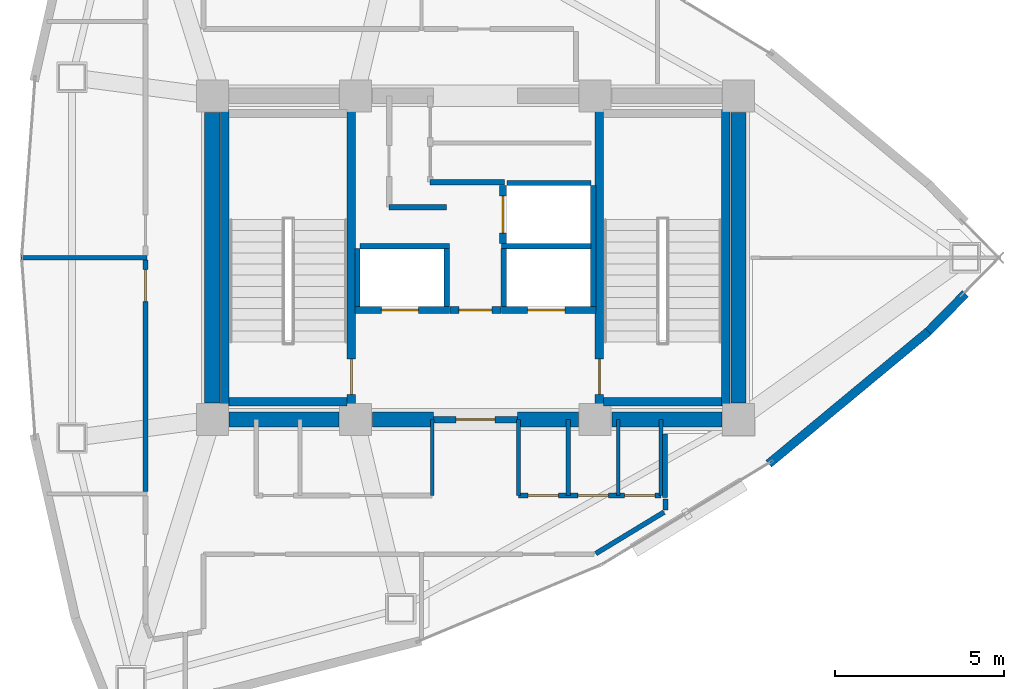
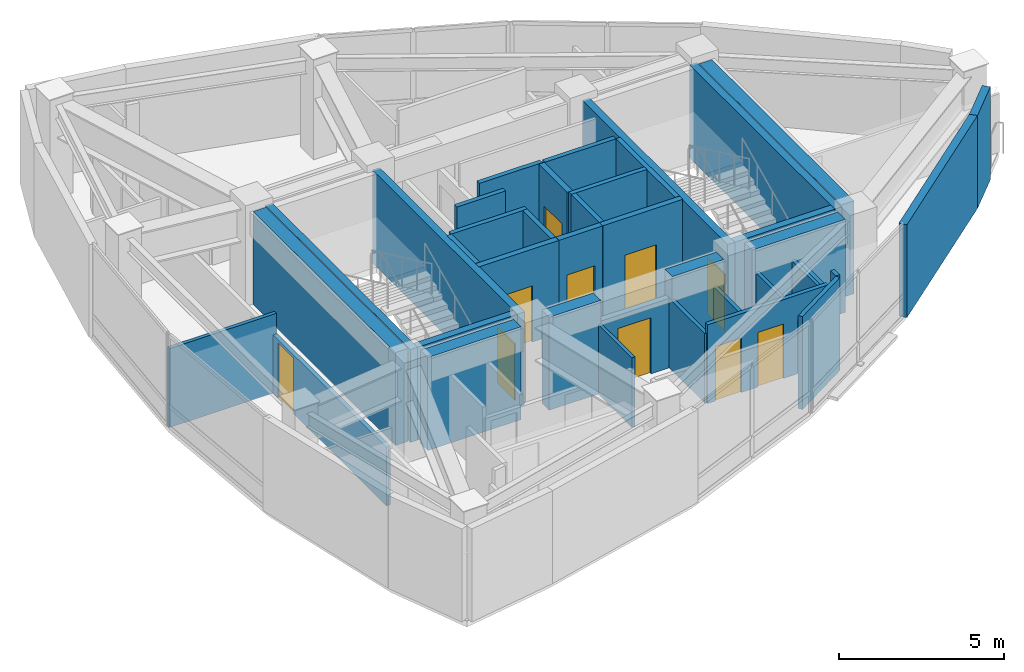
# One storey, part 12 of 15: 39 walls, 11 doors, 11 openings.
"""IFC4 building model written with IfcOpenShell, lengths in metres."""

from ifc_helpers import new_model, si_unit, direction, frame, frame_2d, origin, place, context, subcontext, project, spatial, rectangle, extrude, material, layer, layer_set, type_object, element, fill, save


model = new_model("IFC4")

# Units and contexts
model_context = context("Model", 3, precision=1e-05, world=origin(), true_north=direction((0.0, 1.0)))
body_context = subcontext(model_context, "Body", "Model", "MODEL_VIEW")
ifc_project = project(units=[si_unit("LENGTHUNIT", "METRE"), si_unit("AREAUNIT", "SQUARE_METRE"), si_unit("VOLUMEUNIT", "CUBIC_METRE"), si_unit("PLANEANGLEUNIT", "RADIAN"), si_unit("MASSUNIT", "GRAM", prefix="KILO")], contexts=[model_context])

# Site, building, storey
site_placement = place(None, origin())
site = spatial("IfcSite", under=ifc_project, at=site_placement, CompositionType="ELEMENT")
building_placement = place(site_placement, origin())
building = spatial("IfcBuilding", under=site, at=building_placement, Name="Menara Vayukalpa", CompositionType="ELEMENT")
storey_placement = place(building_placement, frame((0.0, 0.0, 295.5)))
storey = spatial("IfcBuildingStorey", under=building, at=storey_placement, Name="L75", CompositionType="ELEMENT", Elevation=295.5)

# Walls
ifc_material_1 = material(Name="Concrete C50/60", Category="concrete")
ifc_layer_1 = layer(ifc_material_1, 0.449951171875)
ifc_layer_set_1 = layer_set([ifc_layer_1], Name="Concrete C50/60")
wall_type_1 = type_object("IfcWallType", Name="WAL-CW450", PredefinedType="SHEAR", material=ifc_layer_set_1)
wall_1_placement = place(storey_placement, frame((18.294921875, 17.199951171875, 0.0), z_axis=(0.0, 0.0, 1.0), x_axis=(1.0, 0.0, 0.0)))
element("IfcWall", 1, at=wall_1_placement, inside=storey, type_object=wall_type_1, Name="L75 Buttressed Core Shear Wall CWS1", PredefinedType="SHEAR", context=body_context, shape_type="SweptSolid", body=[
    extrude(rectangle(XDim=3.260009765625, YDim=0.449951171875, at=frame_2d((1.6298828125, 0.0))), origin(), (0.0, 0.0, 1.0), 3.43994140625),
])
wall_2_placement = place(storey_placement, frame((22.544921875, 17.199951171875, 0.0), z_axis=(0.0, 0.0, 1.0), x_axis=(1.0, 0.0, 0.0)))
element("IfcWall", 2, at=wall_2_placement, inside=storey, type_object=wall_type_1, Name="L75 Buttressed Core Shear Wall CWS2", PredefinedType="SHEAR", context=body_context, shape_type="SweptSolid", body=[
    extrude(rectangle(XDim=1.80517578125, YDim=0.449951171875, at=frame_2d((0.902587890625, 0.0))), origin(), (0.0, 0.0, 1.0), 3.43994140625),
])
wall_3_placement = place(storey_placement, frame((26.85009765625, 17.199951171875, 0.0), z_axis=(0.0, 0.0, 1.0), x_axis=(1.0, 0.0, 0.0)))
element("IfcWall", 3, at=wall_3_placement, inside=storey, type_object=wall_type_1, Name="L75 Buttressed Core Shear Wall CWS3", PredefinedType="SHEAR", context=body_context, shape_type="SweptSolid", body=[
    extrude(rectangle(XDim=1.804931640625, YDim=0.449951171875, at=frame_2d((0.90234375, 0.0))), origin(), (0.0, 0.0, 1.0), 3.43994140625),
])
wall_4_placement = place(storey_placement, frame((29.64501953125, 17.199951171875, 0.0), z_axis=(0.0, 0.0, 1.0), x_axis=(1.0, 0.0, 0.0)))
element("IfcWall", 4, at=wall_4_placement, inside=storey, type_object=wall_type_1, Name="L75 Buttressed Core Shear Wall CWS4", PredefinedType="SHEAR", context=body_context, shape_type="SweptSolid", body=[
    extrude(rectangle(XDim=3.260009765625, YDim=0.449951171875, at=frame_2d((1.6298828125, 0.0))), origin(), (0.0, 0.0, 1.0), 3.43994140625),
])
for number, where, z_axis, x_axis, name in (
    (5, (17.800048828125, 17.695068359375, 0.0), (0.0, 0.0, 1.0), (0.0, 1.0, 0.0), "L75 Buttressed Core Shear Wall CWW1"),
    (6, (33.39990234375, 17.695068359375, 0.0), (0.0, 0.0, 1.0), (0.0, 1.0, 0.0), "L75 Buttressed Core Shear Wall CWE1"),
):
    element("IfcWall", number, at=place(storey_placement, frame(where, z_axis=z_axis, x_axis=x_axis)), inside=storey, type_object=wall_type_1, Name=name, PredefinedType="SHEAR", context=body_context, shape_type="SweptSolid", body=[
        extrude(rectangle(XDim=8.60986328125, YDim=0.449951171875, at=frame_2d((4.304931640625, 0.0))), origin(), (0.0, 0.0, 1.0), 3.43994140625),
    ])
ifc_material_2 = material(Name="Insulated Precast Concrete C40/50", Category="concrete")
ifc_layer_2 = layer(ifc_material_2, 0.260009765625)
ifc_layer_set_2 = layer_set([ifc_layer_2], Name="Insulated Precast Concrete C40/50")
wall_type_2 = type_object("IfcWallType", Name="WAL-EXT260", PredefinedType="PARTITIONING", material=ifc_layer_set_2)
wall_5_placement = place(storey_placement, frame((40.1240234375, 20.932861328125, 0.0), z_axis=(0.0, 0.0, 1.0), x_axis=(-0.700470648387, -0.71368121087, 0.0)))
element("IfcWall", 7, at=wall_5_placement, inside=storey, type_object=wall_type_2, Name="L75 Perimeter Terracotta Pier Wall 01", PredefinedType="PARTITIONING", context=body_context, shape_type="SweptSolid", body=[
    extrude(rectangle(XDim=1.57080078125, YDim=0.260009765625, at=frame_2d((0.785400390625, 0.0))), origin(), (0.0, 0.0, 1.0), 3.43994140625),
])
wall_6_placement = place(storey_placement, frame((39.032470703125, 19.81982421875, 0.0), z_axis=(0.0, 0.0, 1.0), x_axis=(-0.769779830138, -0.638309496337, 0.0)))
element("IfcWall", 8, at=wall_6_placement, inside=storey, type_object=wall_type_2, Name="L75 Perimeter Terracotta Pier Wall 18", PredefinedType="PARTITIONING", context=body_context, shape_type="SweptSolid", body=[
    extrude(rectangle(XDim=6.154052734375, YDim=0.260009765625, at=frame_2d((3.0771484375, 0.0))), origin(), (0.0, 0.0, 1.0), 3.43994140625),
])
ifc_material_3 = material(Name="Lightweight Concrete Blockwork C16/20", Category="masonry")
ifc_layer_3 = layer(ifc_material_3, 0.159912109375)
ifc_layer_set_3 = layer_set([ifc_layer_3], Name="Lightweight Concrete Blockwork C16/20")
wall_type_3 = type_object("IfcWallType", Name="WAL-FR150", PredefinedType="PARTITIONING", material=ifc_layer_set_3)
for number, where, z_axis, x_axis, name in (
    (9, (22.10498046875, 20.56005859375, 0.0), (0.0, 0.0, 1.0), (0.0, 1.0, 0.0), "L75 Interior Partition IW-L75-SHW-WW"),
    (10, (24.7548828125, 20.56005859375, 0.0), (0.0, 0.0, 1.0), (0.0, 1.0, 0.0), "L75 Interior Partition IW-L75-SHW-W1E"),
):
    element("IfcWall", number, at=place(storey_placement, frame(where, z_axis=z_axis, x_axis=x_axis)), inside=storey, type_object=wall_type_3, Name=name, PredefinedType="PARTITIONING", context=body_context, shape_type="SweptSolid", body=[
        extrude(rectangle(XDim=1.7099609375, YDim=0.159912109375, at=frame_2d((0.85498046875, 0.0))), origin(), (0.0, 0.0, 1.0), 3.43994140625),
    ])
wall_7_placement = place(storey_placement, frame((22.179931640625, 22.344970703125, 0.0), z_axis=(0.0, 0.0, 1.0), x_axis=(1.0, 0.0, 0.0)))
element("IfcWall", 11, at=wall_7_placement, inside=storey, type_object=wall_type_3, Name="L75 Interior Partition IW-L75-SHM-W12", PredefinedType="PARTITIONING", context=body_context, shape_type="SweptSolid", body=[
    extrude(rectangle(XDim=2.650146484375, YDim=0.159912109375, at=frame_2d((1.3251953125, 0.0))), origin(), (0.0, 0.0, 1.0), 3.43994140625),
])
wall_8_placement = place(storey_placement, frame((29.094970703125, 20.56005859375, 0.0), z_axis=(0.0, 0.0, 1.0), x_axis=(0.0, 1.0, 0.0)))
element("IfcWall", 12, at=wall_8_placement, inside=storey, type_object=wall_type_3, Name="L75 Interior Partition IW-L75-SHW-EE", PredefinedType="PARTITIONING", context=body_context, shape_type="SweptSolid", body=[
    extrude(rectangle(XDim=3.579833984375, YDim=0.159912109375, at=frame_2d((1.7900390625, 0.0))), origin(), (0.0, 0.0, 1.0), 3.43994140625),
])
wall_9_placement = place(storey_placement, frame((26.445068359375, 20.56005859375, 0.0), z_axis=(0.0, 0.0, 1.0), x_axis=(0.0, 1.0, 0.0)))
element("IfcWall", 13, at=wall_9_placement, inside=storey, type_object=wall_type_3, Name="L75 Interior Partition IW-L75-SHW-E1W", PredefinedType="PARTITIONING", context=body_context, shape_type="SweptSolid", body=[
    extrude(rectangle(XDim=1.7099609375, YDim=0.159912109375, at=frame_2d((0.85498046875, 0.0))), origin(), (0.0, 0.0, 1.0), 3.43994140625),
])
wall_10_placement = place(storey_placement, frame((26.3701171875, 22.344970703125, 0.0), z_axis=(0.0, 0.0, 1.0), x_axis=(1.0, 0.0, 0.0)))
element("IfcWall", 14, at=wall_10_placement, inside=storey, type_object=wall_type_3, Name="L75 Interior Partition IW-L75-SHM-E13", PredefinedType="PARTITIONING", context=body_context, shape_type="SweptSolid", body=[
    extrude(rectangle(XDim=2.64990234375, YDim=0.159912109375, at=frame_2d((1.324951171875, 0.0))), origin(), (0.0, 0.0, 1.0), 3.43994140625),
])
wall_11_placement = place(storey_placement, frame((26.530029296875, 24.215087890625, 0.0), z_axis=(0.0, 0.0, 1.0), x_axis=(1.0, 0.0, 0.0)))
element("IfcWall", 15, at=wall_11_placement, inside=storey, type_object=wall_type_3, Name="L75 Interior Partition IW-L75-SHM-E32", PredefinedType="PARTITIONING", context=body_context, shape_type="SweptSolid", body=[
    extrude(rectangle(XDim=2.489990234375, YDim=0.159912109375, at=frame_2d((1.2451171875, 0.0))), origin(), (0.0, 0.0, 1.0), 3.43994140625),
])
wall_12_placement = place(storey_placement, frame((23.0400390625, 23.5, 0.0), z_axis=(0.0, 0.0, 1.0), x_axis=(1.0, 0.0, 0.0)))
element("IfcWall", 16, at=wall_12_placement, inside=storey, type_object=wall_type_3, Name="L75 Interior Partition IW-L75-LV7WA", PredefinedType="PARTITIONING", context=body_context, shape_type="SweptSolid", body=[
    extrude(rectangle(XDim=1.699951171875, YDim=0.159912109375, at=frame_2d((0.85009765625, 0.0))), origin(), (0.0, 0.0, 1.0), 3.43994140625),
])
wall_13_placement = place(storey_placement, frame((24.260009765625, 24.239990234375, 0.0), z_axis=(0.0, 0.0, 1.0), x_axis=(1.0, 0.0, 0.0)))
element("IfcWall", 17, at=wall_13_placement, inside=storey, type_object=wall_type_3, Name="L75 Interior Partition IW-L75-LV7EA", PredefinedType="PARTITIONING", context=body_context, shape_type="SweptSolid", body=[
    extrude(rectangle(XDim=2.199951171875, YDim=0.159912109375, at=frame_2d((1.10009765625, 0.0))), origin(), (0.0, 0.0, 1.0), 3.43994140625),
])

# Wall, opening, door
ifc_material_4 = material(Name="Lightweight Concrete Blockwork C16/20", Category="masonry")
ifc_layer_4 = layer(ifc_material_4, 0.199951171875)
ifc_layer_set_4 = layer_set([ifc_layer_4], Name="Lightweight Concrete Blockwork C16/20")
wall_type_4 = type_object("IfcWallType", Name="WAL-FR200", PredefinedType="PARTITIONING", material=ifc_layer_set_4)
wall_14_placement = place(storey_placement, frame((24.35009765625, 17.199951171875, 0.0), z_axis=(0.0, 0.0, 1.0), x_axis=(1.0, 0.0, 0.0)))
wall_14 = element("IfcWall", 18, at=wall_14_placement, inside=storey, type_object=wall_type_4, Name="L75 Interior Partition IW-L75-FFLS", PredefinedType="PARTITIONING", context=body_context, shape_type="SweptSolid", body=[
    extrude(rectangle(XDim=2.5, YDim=0.199951171875, at=frame_2d((1.25, 0.0))), origin(), (0.0, 0.0, 1.0), 2.570068359375),
])
opening_1_placement = place(wall_14_placement, frame((0.679931640625, 0.0, 0.0)))
opening_1 = element("IfcOpeningElement", 19, at=opening_1_placement, cuts=wall_14, Name="Opening ID2", PredefinedType="OPENING", context=body_context, shape_type="SweptSolid", body=[
    extrude(rectangle(XDim=1.14990234375, YDim=2.080078125, at=frame_2d((0.574951171875, 1.0400390625))), frame((0.0, 0.10986328125, 0.0), z_axis=(0.0, -1.0, 0.0), x_axis=(1.0, 0.0, 0.0)), (0.0, 0.0, 1.0), 0.219970703125),
])
ifc_material_5 = material(Name="Fire-Rated Powder-Coated Steel Door", Category="steel")
door_type_1 = type_object("IfcDoorType", Name="DR-FD60W", OperationType="NOTDEFINED", PredefinedType="DOOR", material=ifc_material_5)
door_1_placement = place(opening_1_placement, origin())
door_1 = element("IfcDoor", 20, at=door_1_placement, inside=storey, type_object=door_type_1, Name="L75 Interior Door DR-L75-FFLS", OperationType="SINGLE_SWING_LEFT", OverallHeight=2.080078125, OverallWidth=1.14990234375, PredefinedType="DOOR", context=body_context, shape_type="SweptSolid", body=[
    extrude(rectangle(XDim=1.14990234375, YDim=2.080078125, at=frame_2d((0.574951171875, 1.0400390625))), frame((0.0, 0.02490234375, 0.0), z_axis=(0.0, -1.0, 0.0), x_axis=(1.0, 0.0, 0.0)), (0.0, 0.0, 1.0), 0.050048828125),
])
fill(opening_1, door_1)

wall_15_placement = place(storey_placement, frame((24.840087890625, 20.449951171875, 0.0), z_axis=(0.0, 0.0, 1.0), x_axis=(1.0, 0.0, 0.0)))
wall_15 = element("IfcWall", 21, at=wall_15_placement, inside=storey, type_object=wall_type_4, Name="L75 Interior Partition IW-L75-FFLN", PredefinedType="PARTITIONING", context=body_context, shape_type="SweptSolid", body=[
    extrude(rectangle(XDim=1.52001953125, YDim=0.199951171875, at=frame_2d((0.760009765625, 0.0))), origin(), (0.0, 0.0, 1.0), 3.43994140625),
])
opening_2_placement = place(wall_15_placement, frame((0.27001953125, 0.0, 0.0)))
opening_2 = element("IfcOpeningElement", 22, at=opening_2_placement, cuts=wall_15, Name="Opening ID3", PredefinedType="OPENING", context=body_context, shape_type="SweptSolid", body=[
    extrude(rectangle(XDim=0.97998046875, YDim=2.06005859375, at=frame_2d((0.489990234375, 1.030029296875))), frame((0.0, 0.10986328125, 0.0), z_axis=(0.0, -1.0, 0.0), x_axis=(1.0, 0.0, 0.0)), (0.0, 0.0, 1.0), 0.219970703125),
])
ifc_material_6 = material(Name="Fire-Rated Powder-Coated Steel Door", Category="steel")
door_type_2 = type_object("IfcDoorType", Name="DR-FD60", OperationType="NOTDEFINED", PredefinedType="DOOR", material=ifc_material_6)
door_2_placement = place(opening_2_placement, origin())
door_2 = element("IfcDoor", 23, at=door_2_placement, inside=storey, type_object=door_type_2, Name="L75 Interior Door DR-L75-FFLN", OperationType="SINGLE_SWING_RIGHT", OverallHeight=2.06005859375, OverallWidth=0.97998046875, PredefinedType="DOOR", context=body_context, shape_type="SweptSolid", body=[
    extrude(rectangle(XDim=0.97998046875, YDim=2.06005859375, at=frame_2d((0.489990234375, 1.030029296875))), frame((0.0, 0.02490234375, 0.0), z_axis=(0.0, -1.0, 0.0), x_axis=(1.0, 0.0, 0.0)), (0.0, 0.0, 1.0), 0.050048828125),
])
fill(opening_2, door_2)

wall_16_placement = place(storey_placement, frame((22.030029296875, 20.449951171875, 0.0), z_axis=(0.0, 0.0, 1.0), x_axis=(1.0, 0.0, 0.0)))
wall_16 = element("IfcWall", 24, at=wall_16_placement, inside=storey, type_object=wall_type_4, Name="L75 Interior Partition IW-L75-SH-W1", PredefinedType="PARTITIONING", context=body_context, shape_type="SweptSolid", body=[
    extrude(rectangle(XDim=2.800048828125, YDim=0.199951171875, at=frame_2d((1.39990234375, 0.0))), origin(), (0.0, 0.0, 1.0), 3.43994140625),
])
opening_3_placement = place(wall_16_placement, frame((0.780029296875, 0.0, 0.0)))
opening_3 = element("IfcOpeningElement", 25, at=opening_3_placement, cuts=wall_16, Name="Opening LD1", PredefinedType="OPENING", context=body_context, shape_type="SweptSolid", body=[
    extrude(rectangle(XDim=1.10009765625, YDim=2.080078125, at=frame_2d((0.550048828125, 1.0400390625))), frame((0.0, 0.10986328125, 0.0), z_axis=(0.0, -1.0, 0.0), x_axis=(1.0, 0.0, 0.0)), (0.0, 0.0, 1.0), 0.219970703125),
])
ifc_material_7 = material(Name="Brushed Stainless Steel 316 Lift Door", Category="steel")
door_type_3 = type_object("IfcDoorType", Name="DR-LD110", OperationType="NOTDEFINED", PredefinedType="DOOR", material=ifc_material_7)
door_3_placement = place(opening_3_placement, origin())
door_3 = element("IfcDoor", 26, at=door_3_placement, inside=storey, type_object=door_type_3, Name="L75 Interior Door DR-L75-LD-W1", OperationType="DOUBLE_DOOR_SLIDING", OverallHeight=2.080078125, OverallWidth=1.10009765625, PredefinedType="DOOR", context=body_context, shape_type="SweptSolid", body=[
    extrude(rectangle(XDim=1.10009765625, YDim=2.080078125, at=frame_2d((0.550048828125, 1.0400390625))), frame((0.0, 0.02490234375, 0.0), z_axis=(0.0, -1.0, 0.0), x_axis=(1.0, 0.0, 0.0)), (0.0, 0.0, 1.0), 0.050048828125),
])
fill(opening_3, door_3)

wall_17_placement = place(storey_placement, frame((26.3701171875, 20.449951171875, 0.0), z_axis=(0.0, 0.0, 1.0), x_axis=(1.0, 0.0, 0.0)))
wall_17 = element("IfcWall", 27, at=wall_17_placement, inside=storey, type_object=wall_type_4, Name="L75 Interior Partition IW-L75-SH-E1", PredefinedType="PARTITIONING", context=body_context, shape_type="SweptSolid", body=[
    extrude(rectangle(XDim=2.7998046875, YDim=0.199951171875, at=frame_2d((1.39990234375, 0.0))), origin(), (0.0, 0.0, 1.0), 3.43994140625),
])
opening_4_placement = place(wall_17_placement, frame((0.780029296875, 0.0, 0.0)))
opening_4 = element("IfcOpeningElement", 28, at=opening_4_placement, cuts=wall_17, Name="Opening LD1", PredefinedType="OPENING", context=body_context, shape_type="SweptSolid", body=[
    extrude(rectangle(XDim=1.10009765625, YDim=2.080078125, at=frame_2d((0.550048828125, 1.0400390625))), frame((0.0, 0.10986328125, 0.0), z_axis=(0.0, -1.0, 0.0), x_axis=(1.0, 0.0, 0.0)), (0.0, 0.0, 1.0), 0.219970703125),
])
door_4_placement = place(opening_4_placement, origin())
door_4 = element("IfcDoor", 29, at=door_4_placement, inside=storey, type_object=door_type_3, Name="L75 Interior Door DR-L75-LD-E1", OperationType="DOUBLE_DOOR_SLIDING", OverallHeight=2.080078125, OverallWidth=1.10009765625, PredefinedType="DOOR", context=body_context, shape_type="SweptSolid", body=[
    extrude(rectangle(XDim=1.10009765625, YDim=2.080078125, at=frame_2d((0.550048828125, 1.0400390625))), frame((0.0, 0.02490234375, 0.0), z_axis=(0.0, -1.0, 0.0), x_axis=(1.0, 0.0, 0.0)), (0.0, 0.0, 1.0), 0.050048828125),
])
fill(opening_4, door_4)

wall_18_placement = place(storey_placement, frame((26.419921875, 22.419921875, 0.0), z_axis=(0.0, 0.0, 1.0), x_axis=(0.0, 1.0, 0.0)))
wall_18 = element("IfcWall", 30, at=wall_18_placement, inside=storey, type_object=wall_type_4, Name="L75 Interior Partition IW-L75-SH-E3", PredefinedType="PARTITIONING", context=body_context, shape_type="SweptSolid", body=[
    extrude(rectangle(XDim=1.719970703125, YDim=0.199951171875, at=frame_2d((0.85986328125, 0.0))), origin(), (0.0, 0.0, 1.0), 3.43994140625),
])
opening_5_placement = place(wall_18_placement, frame((0.31005859375, 0.0, 0.0)))
opening_5 = element("IfcOpeningElement", 31, at=opening_5_placement, cuts=wall_18, Name="Opening LD1", PredefinedType="OPENING", context=body_context, shape_type="SweptSolid", body=[
    extrude(rectangle(XDim=1.10009765625, YDim=2.080078125, at=frame_2d((0.550048828125, 1.0400390625))), frame((0.0, 0.10986328125, 0.0), z_axis=(0.0, -1.0, 0.0), x_axis=(1.0, 0.0, 0.0)), (0.0, 0.0, 1.0), 0.219970703125),
])
door_5_placement = place(opening_5_placement, origin())
door_5 = element("IfcDoor", 32, at=door_5_placement, inside=storey, type_object=door_type_3, Name="L75 Interior Door DR-L75-LD-E3", OperationType="DOUBLE_DOOR_SLIDING", OverallHeight=2.080078125, OverallWidth=1.10009765625, PredefinedType="DOOR", context=body_context, shape_type="SweptSolid", body=[
    extrude(rectangle(XDim=1.10009765625, YDim=2.080078125, at=frame_2d((0.550048828125, 1.0400390625))), frame((0.0, 0.02490234375, 0.0), z_axis=(0.0, -1.0, 0.0), x_axis=(1.0, 0.0, 0.0)), (0.0, 0.0, 1.0), 0.050048828125),
])
fill(opening_5, door_5)

# Walls
ifc_material_8 = material(Name="Acoustic Mineral Stud Partition", Category="masonry")
ifc_layer_5 = layer(ifc_material_8, 0.110107421875)
ifc_layer_set_5 = layer_set([ifc_layer_5], Name="Acoustic Mineral Stud Partition")
wall_type_5 = type_object("IfcWallType", Name="WAL-PT110", PredefinedType="PARTITIONING", material=ifc_layer_set_5)
for number, where, z_axis, x_axis, name in (
    (33, (24.320068359375, 14.949951171875, 0.0), (0.0, 0.0, 1.0), (0.0, 1.0, 0.0), "L75 Interior Partition IW-L75-SVCD-03"),
    (34, (29.830078125, 14.949951171875, 0.0), (0.0, 0.0, 1.0), (0.0, 1.0, 0.0), "L75 Interior Partition IW-L75-SVCD-06"),
):
    element("IfcWall", number, at=place(storey_placement, frame(where, z_axis=z_axis, x_axis=x_axis)), inside=storey, type_object=wall_type_5, Name=name, PredefinedType="PARTITIONING", context=body_context, shape_type="SweptSolid", body=[
        extrude(rectangle(XDim=2.25, YDim=0.110107421875, at=frame_2d((1.125, 0.0))), origin(), (0.0, 0.0, 1.0), 2.570068359375),
    ])
ifc_material_9 = material(Name="Gypsum Drywall Steel Stud Assembly", Category="steel")
ifc_layer_6 = layer(ifc_material_9, 0.125)
ifc_layer_set_6 = layer_set([ifc_layer_6], Name="Gypsum Drywall Steel Stud Assembly")
wall_type_6 = type_object("IfcWallType", Name="WAL-PT125", PredefinedType="PARTITIONING", material=ifc_layer_set_6)
for number, where, z_axis, x_axis, name in (
    (35, (26.8798828125, 14.949951171875, 0.0), (0.0, 0.0, 1.0), (0.0, 1.0, 0.0), "L75 Interior Partition IW-L75-SVCD-04"),
    (36, (28.35009765625, 14.949951171875, 0.0), (0.0, 0.0, 1.0), (0.0, 1.0, 0.0), "L75 Interior Partition IW-L75-SVCD-05"),
    (37, (31.10009765625, 14.949951171875, 0.0), (0.0, 0.0, 1.0), (0.0, 1.0, 0.0), "L75 Interior Partition IW-L75-SVCD-07"),
):
    element("IfcWall", number, at=place(storey_placement, frame(where, z_axis=z_axis, x_axis=x_axis)), inside=storey, type_object=wall_type_6, Name=name, PredefinedType="PARTITIONING", context=body_context, shape_type="SweptSolid", body=[
        extrude(rectangle(XDim=2.25, YDim=0.125, at=frame_2d((1.125, 0.0))), origin(), (0.0, 0.0, 1.0), 2.570068359375),
    ])
wall_19_placement = place(storey_placement, frame((12.1279296875, 22.0, 0.0), z_axis=(0.0, 0.0, 1.0), x_axis=(1.0, 0.0, 0.0)))
element("IfcWall", 38, at=wall_19_placement, inside=storey, type_object=wall_type_6, Name="L75 Interior Partition IW-L75-RDIV07", PredefinedType="PARTITIONING", context=body_context, shape_type="SweptSolid", body=[
    extrude(rectangle(XDim=3.7421875, YDim=0.125, at=frame_2d((1.87109375, 0.0))), origin(), (0.0, 0.0, 1.0), 2.919921875),
])

# Wall, openings, doors
ifc_material_10 = material(Name="Gypsum Drywall Acoustic Stud Assembly", Category="masonry")
ifc_layer_7 = layer(ifc_material_10, 0.14501953125)
ifc_layer_set_7 = layer_set([ifc_layer_7], Name="Gypsum Drywall Acoustic Stud Assembly")
wall_type_7 = type_object("IfcWallType", Name="WAL-PT150", PredefinedType="PARTITIONING", material=ifc_layer_set_7)
wall_20_placement = place(storey_placement, frame((26.8798828125, 14.949951171875, 0.0), z_axis=(0.0, 0.0, 1.0), x_axis=(1.0, 0.0, 0.0)))
wall_20 = element("IfcWall", 39, at=wall_20_placement, inside=storey, type_object=wall_type_7, Name="L75 Interior Partition IW-L75-SVCS-E", PredefinedType="PARTITIONING", context=body_context, shape_type="SweptSolid", body=[
    extrude(rectangle(XDim=4.22021484375, YDim=0.14501953125, at=frame_2d((2.110107421875, 0.0))), origin(), (0.0, 0.0, 1.0), 2.919921875),
])
opening_6_placement = place(wall_20_placement, frame((0.280029296875, 0.0, 0.0)))
opening_6 = element("IfcOpeningElement", 40, at=opening_6_placement, cuts=wall_20, Name="Opening ID7", PredefinedType="OPENING", context=body_context, shape_type="SweptSolid", body=[
    extrude(rectangle(XDim=0.89990234375, YDim=2.02001953125, at=frame_2d((0.449951171875, 1.010009765625))), frame((0.0, 0.08251953125, 0.0), z_axis=(0.0, -1.0, 0.0), x_axis=(1.0, 0.0, 0.0)), (0.0, 0.0, 1.0), 0.1650390625),
])
opening_7_placement = place(wall_20_placement, frame((1.760009765625, 0.0, 0.0)))
opening_7 = element("IfcOpeningElement", 41, at=opening_7_placement, cuts=wall_20, Name="Opening ID7", PredefinedType="OPENING", context=body_context, shape_type="SweptSolid", body=[
    extrude(rectangle(XDim=0.89990234375, YDim=2.02001953125, at=frame_2d((0.449951171875, 1.010009765625))), frame((0.0, 0.08251953125, 0.0), z_axis=(0.0, -1.0, 0.0), x_axis=(1.0, 0.0, 0.0)), (0.0, 0.0, 1.0), 0.1650390625),
])
opening_8_placement = place(wall_20_placement, frame((3.139892578125, 0.0, 0.0)))
opening_8 = element("IfcOpeningElement", 42, at=opening_8_placement, cuts=wall_20, Name="Opening ID7", PredefinedType="OPENING", context=body_context, shape_type="SweptSolid", body=[
    extrude(rectangle(XDim=0.89990234375, YDim=2.02001953125, at=frame_2d((0.449951171875, 1.010009765625))), frame((0.0, 0.08251953125, 0.0), z_axis=(0.0, -1.0, 0.0), x_axis=(1.0, 0.0, 0.0)), (0.0, 0.0, 1.0), 0.1650390625),
])
ifc_material_11 = material(Name="Powder-Coated Steel Riser Access Door", Category="steel")
door_type_4 = type_object("IfcDoorType", Name="DR-RISER", OperationType="NOTDEFINED", PredefinedType="DOOR", material=ifc_material_11)
door_6_placement = place(opening_6_placement, origin())
door_6 = element("IfcDoor", 43, at=door_6_placement, inside=storey, type_object=door_type_4, Name="L75 Interior Door DR-L75-KSV1", OperationType="SINGLE_SWING_RIGHT", OverallHeight=2.02001953125, OverallWidth=0.89990234375, PredefinedType="DOOR", context=body_context, shape_type="SweptSolid", body=[
    extrude(rectangle(XDim=0.89990234375, YDim=2.02001953125, at=frame_2d((0.449951171875, 1.010009765625))), frame((0.0, 0.02490234375, 0.0), z_axis=(0.0, -1.0, 0.0), x_axis=(1.0, 0.0, 0.0)), (0.0, 0.0, 1.0), 0.050048828125),
])
fill(opening_6, door_6)
door_7_placement = place(opening_7_placement, origin())
door_7 = element("IfcDoor", 44, at=door_7_placement, inside=storey, type_object=door_type_4, Name="L75 Interior Door DR-L75-KSV2", OperationType="SINGLE_SWING_LEFT", OverallHeight=2.02001953125, OverallWidth=0.89990234375, PredefinedType="DOOR", context=body_context, shape_type="SweptSolid", body=[
    extrude(rectangle(XDim=0.89990234375, YDim=2.02001953125, at=frame_2d((0.449951171875, 1.010009765625))), frame((0.0, 0.02490234375, 0.0), z_axis=(0.0, -1.0, 0.0), x_axis=(1.0, 0.0, 0.0)), (0.0, 0.0, 1.0), 0.050048828125),
])
fill(opening_7, door_7)
door_8_placement = place(opening_8_placement, origin())
door_8 = element("IfcDoor", 45, at=door_8_placement, inside=storey, type_object=door_type_4, Name="L75 Interior Door DR-L75-SMD", OperationType="SINGLE_SWING_RIGHT", OverallHeight=2.02001953125, OverallWidth=0.89990234375, PredefinedType="DOOR", context=body_context, shape_type="SweptSolid", body=[
    extrude(rectangle(XDim=0.89990234375, YDim=2.02001953125, at=frame_2d((0.449951171875, 1.010009765625))), frame((0.0, 0.02490234375, 0.0), z_axis=(0.0, -1.0, 0.0), x_axis=(1.0, 0.0, 0.0)), (0.0, 0.0, 1.0), 0.050048828125),
])
fill(opening_8, door_8)

# Wall, opening, door
wall_21_placement = place(storey_placement, frame((15.820068359375, 21.929931640625, 0.0), z_axis=(0.0, 0.0, 1.0), x_axis=(0.0, -1.0, 0.0)))
wall_21 = element("IfcWall", 46, at=wall_21_placement, inside=storey, type_object=wall_type_7, Name="L75 Interior Partition IW-L75-CRM01-1", PredefinedType="PARTITIONING", context=body_context, shape_type="SweptSolid", body=[
    extrude(rectangle(XDim=6.85986328125, YDim=0.14501953125, at=frame_2d((3.429931640625, 0.0))), origin(), (0.0, 0.0, 1.0), 2.169921875),
])
opening_9_placement = place(wall_21_placement, frame((0.280029296875, 0.0, 0.0)))
opening_9 = element("IfcOpeningElement", 47, at=opening_9_placement, cuts=wall_21, Name="Opening ID5", PredefinedType="OPENING", context=body_context, shape_type="SweptSolid", body=[
    extrude(rectangle(XDim=0.949951171875, YDim=2.06005859375, at=frame_2d((0.47509765625, 1.030029296875))), frame((0.0, 0.08251953125, 0.0), z_axis=(0.0, -1.0, 0.0), x_axis=(1.0, 0.0, 0.0)), (0.0, 0.0, 1.0), 0.1650390625),
])
ifc_material_12 = material(Name="Acoustic Hardwood Veneer Timber Door", Category="wood")
door_type_5 = type_object("IfcDoorType", Name="DR-INT95", OperationType="NOTDEFINED", PredefinedType="DOOR", material=ifc_material_12)
door_9_placement = place(opening_9_placement, origin())
door_9 = element("IfcDoor", 48, at=door_9_placement, inside=storey, type_object=door_type_5, Name="L75 Interior Door DR-L75-RM01", OperationType="SINGLE_SWING_LEFT", OverallHeight=2.06005859375, OverallWidth=0.949951171875, PredefinedType="DOOR", context=body_context, shape_type="SweptSolid", body=[
    extrude(rectangle(XDim=0.949951171875, YDim=2.06005859375, at=frame_2d((0.47509765625, 1.030029296875))), frame((0.0, 0.02490234375, 0.0), z_axis=(0.0, -1.0, 0.0), x_axis=(1.0, 0.0, 0.0)), (0.0, 0.0, 1.0), 0.050048828125),
])
fill(opening_9, door_9)

# Walls
wall_22_placement = place(storey_placement, frame((29.167724609375, 13.228515625, 0.0), z_axis=(0.0, 0.0, 1.0), x_axis=(0.854678044033, 0.519158396876, 0.0)))
element("IfcWall", 49, at=wall_22_placement, inside=storey, type_object=wall_type_7, Name="L75 Interior Partition IW-L75-CRM05-2", PredefinedType="PARTITIONING", context=body_context, shape_type="SweptSolid", body=[
    extrude(rectangle(XDim=2.36767578125, YDim=0.14501953125, at=frame_2d((1.183837890625, 0.0))), origin(), (0.0, 0.0, 1.0), 3.43994140625),
])
wall_23_placement = place(storey_placement, frame((31.22998046875, 14.526123046875, 0.0), z_axis=(0.0, 0.0, 1.0), x_axis=(0.0, 1.0, 0.0)))
element("IfcWall", 50, at=wall_23_placement, inside=storey, type_object=wall_type_7, Name="L75 Interior Partition IW-L75-CRM05-3", PredefinedType="PARTITIONING", context=body_context, shape_type="SweptSolid", body=[
    extrude(rectangle(XDim=0.323974609375, YDim=0.14501953125, at=frame_2d((0.162109375, 0.0))), origin(), (0.0, 0.0, 1.0), 3.43994140625),
])
wall_24_placement = place(storey_placement, frame((31.219970703125, 14.888671875, 0.0), z_axis=(0.0, 0.0, 1.0), x_axis=(0.0, 1.0, 0.0)))
element("IfcWall", 51, at=wall_24_placement, inside=storey, type_object=wall_type_7, Name="L75 Interior Partition IW-L75-CRM05-4", PredefinedType="PARTITIONING", context=body_context, shape_type="SweptSolid", body=[
    extrude(rectangle(XDim=1.891357421875, YDim=0.14501953125, at=frame_2d((0.94580078125, 0.0))), origin(), (0.0, 0.0, 1.0), 2.570068359375),
])
ifc_material_13 = material(Name="Concrete C50/60", Category="concrete")
ifc_layer_8 = layer(ifc_material_13, 0.25)
ifc_layer_set_8 = layer_set([ifc_layer_8], Name="Concrete C50/60")
wall_type_8 = type_object("IfcWallType", Name="WAL-SW250", PredefinedType="SHEAR", material=ifc_layer_set_8)
wall_25_placement = place(storey_placement, frame((18.175048828125, 17.60009765625, 0.0), z_axis=(0.0, 0.0, 1.0), x_axis=(0.0, 1.0, 0.0)))
element("IfcWall", 52, at=wall_25_placement, inside=storey, type_object=wall_type_8, Name="L75 ST1 Structural Stair Shaft Wall W", PredefinedType="SHEAR", context=body_context, shape_type="SweptSolid", body=[
    extrude(rectangle(XDim=8.7998046875, YDim=0.25, at=frame_2d((4.39990234375, 0.0))), origin(), (0.0, 0.0, 1.0), 3.43994140625),
])

# Wall, opening, door
wall_26_placement = place(storey_placement, frame((21.925048828125, 17.60009765625, 0.0), z_axis=(0.0, 0.0, 1.0), x_axis=(0.0, 1.0, 0.0)))
wall_26 = element("IfcWall", 53, at=wall_26_placement, inside=storey, type_object=wall_type_8, Name="L75 ST1 Structural Stair Shaft Wall E", PredefinedType="SHEAR", context=body_context, shape_type="SweptSolid", body=[
    extrude(rectangle(XDim=8.7998046875, YDim=0.25, at=frame_2d((4.39990234375, 0.0))), origin(), (0.0, 0.0, 1.0), 3.43994140625),
])
opening_10_placement = place(wall_26_placement, frame((0.35009765625, 0.0, 0.0)))
opening_10 = element("IfcOpeningElement", 54, at=opening_10_placement, cuts=wall_26, Name="Opening ID1", PredefinedType="OPENING", context=body_context, shape_type="SweptSolid", body=[
    extrude(rectangle(XDim=1.050048828125, YDim=2.080078125, at=frame_2d((0.52490234375, 1.0400390625))), frame((0.0, 0.135009765625, 0.0), z_axis=(0.0, -1.0, 0.0), x_axis=(1.0, 0.0, 0.0)), (0.0, 0.0, 1.0), 0.27001953125),
])
ifc_material_14 = material(Name="Fire-Rated Powder-Coated Steel Door", Category="steel")
door_type_6 = type_object("IfcDoorType", Name="DR-FD120", OperationType="NOTDEFINED", PredefinedType="DOOR", material=ifc_material_14)
door_10_placement = place(opening_10_placement, origin())
door_10 = element("IfcDoor", 55, at=door_10_placement, inside=storey, type_object=door_type_6, Name="L75 Stair Exit Door DR-L75-ST1", OperationType="SINGLE_SWING_LEFT", OverallHeight=2.080078125, OverallWidth=1.050048828125, PredefinedType="DOOR", context=body_context, shape_type="SweptSolid", body=[
    extrude(rectangle(XDim=1.050048828125, YDim=2.080078125, at=frame_2d((0.52490234375, 1.0400390625))), frame((0.0, 0.02490234375, 0.0), z_axis=(0.0, -1.0, 0.0), x_axis=(1.0, 0.0, 0.0)), (0.0, 0.0, 1.0), 0.050048828125),
])
fill(opening_10, door_10)

# Wall
wall_27_placement = place(storey_placement, frame((18.300048828125, 17.72509765625, 0.0), z_axis=(0.0, 0.0, 1.0), x_axis=(1.0, 0.0, 0.0)))
element("IfcWall", 56, at=wall_27_placement, inside=storey, type_object=wall_type_8, Name="L75 ST1 Structural Stair Shaft Wall S", PredefinedType="SHEAR", context=body_context, shape_type="SweptSolid", body=[
    extrude(rectangle(XDim=3.5, YDim=0.25, at=frame_2d((1.75, 0.0))), origin(), (0.0, 0.0, 1.0), 3.43994140625),
])

# Wall, opening, door
wall_28_placement = place(storey_placement, frame((29.27490234375, 17.60009765625, 0.0), z_axis=(0.0, 0.0, 1.0), x_axis=(0.0, 1.0, 0.0)))
wall_28 = element("IfcWall", 57, at=wall_28_placement, inside=storey, type_object=wall_type_8, Name="L75 ST2 Structural Stair Shaft Wall W", PredefinedType="SHEAR", context=body_context, shape_type="SweptSolid", body=[
    extrude(rectangle(XDim=8.7998046875, YDim=0.25, at=frame_2d((4.39990234375, 0.0))), origin(), (0.0, 0.0, 1.0), 3.43994140625),
])
opening_11_placement = place(wall_28_placement, frame((0.35009765625, 0.0, 0.0)))
opening_11 = element("IfcOpeningElement", 58, at=opening_11_placement, cuts=wall_28, Name="Opening ID1", PredefinedType="OPENING", context=body_context, shape_type="SweptSolid", body=[
    extrude(rectangle(XDim=1.050048828125, YDim=2.080078125, at=frame_2d((0.52490234375, 1.0400390625))), frame((0.0, 0.135009765625, 0.0), z_axis=(0.0, -1.0, 0.0), x_axis=(1.0, 0.0, 0.0)), (0.0, 0.0, 1.0), 0.27001953125),
])
door_11_placement = place(opening_11_placement, origin())
door_11 = element("IfcDoor", 59, at=door_11_placement, inside=storey, type_object=door_type_6, Name="L75 Stair Exit Door DR-L75-ST2", OperationType="SINGLE_SWING_RIGHT", OverallHeight=2.080078125, OverallWidth=1.050048828125, PredefinedType="DOOR", context=body_context, shape_type="SweptSolid", body=[
    extrude(rectangle(XDim=1.050048828125, YDim=2.080078125, at=frame_2d((0.52490234375, 1.0400390625))), frame((0.0, 0.02490234375, 0.0), z_axis=(0.0, -1.0, 0.0), x_axis=(1.0, 0.0, 0.0)), (0.0, 0.0, 1.0), 0.050048828125),
])
fill(opening_11, door_11)

# Walls
wall_29_placement = place(storey_placement, frame((33.02490234375, 17.60009765625, 0.0), z_axis=(0.0, 0.0, 1.0), x_axis=(0.0, 1.0, 0.0)))
element("IfcWall", 60, at=wall_29_placement, inside=storey, type_object=wall_type_8, Name="L75 ST2 Structural Stair Shaft Wall E", PredefinedType="SHEAR", context=body_context, shape_type="SweptSolid", body=[
    extrude(rectangle(XDim=8.7998046875, YDim=0.25, at=frame_2d((4.39990234375, 0.0))), origin(), (0.0, 0.0, 1.0), 3.43994140625),
])
wall_30_placement = place(storey_placement, frame((29.39990234375, 17.72509765625, 0.0), z_axis=(0.0, 0.0, 1.0), x_axis=(1.0, 0.0, 0.0)))
element("IfcWall", 61, at=wall_30_placement, inside=storey, type_object=wall_type_8, Name="L75 ST2 Structural Stair Shaft Wall S", PredefinedType="SHEAR", context=body_context, shape_type="SweptSolid", body=[
    extrude(rectangle(XDim=3.5, YDim=0.25, at=frame_2d((1.75, 0.0))), origin(), (0.0, 0.0, 1.0), 3.43994140625),
])

save(model, "model.ifc")
